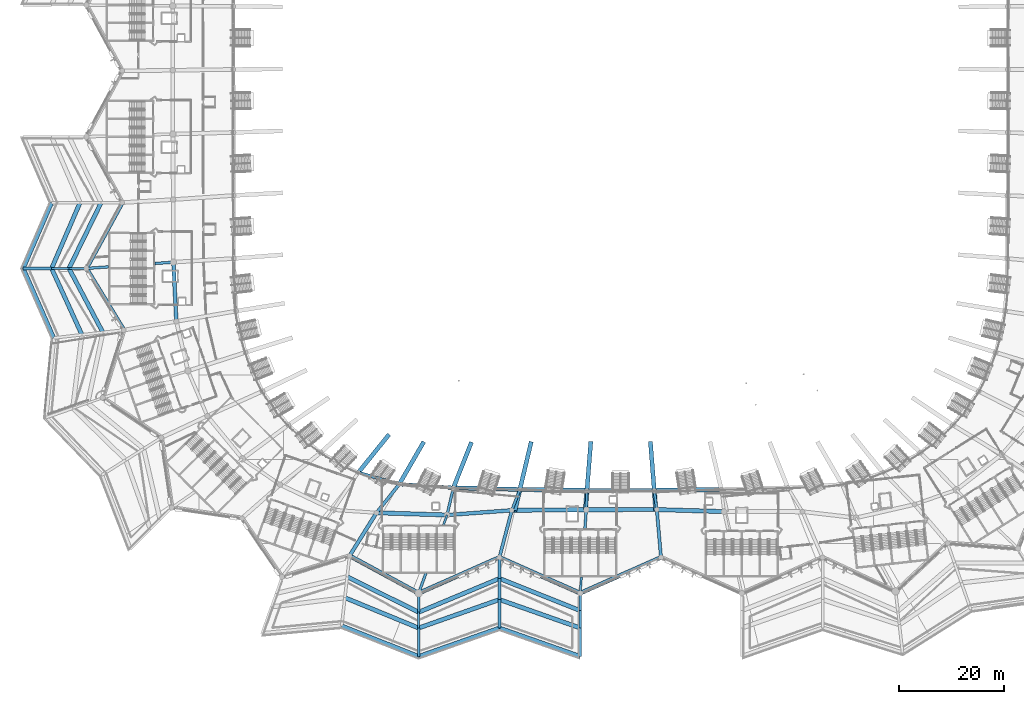
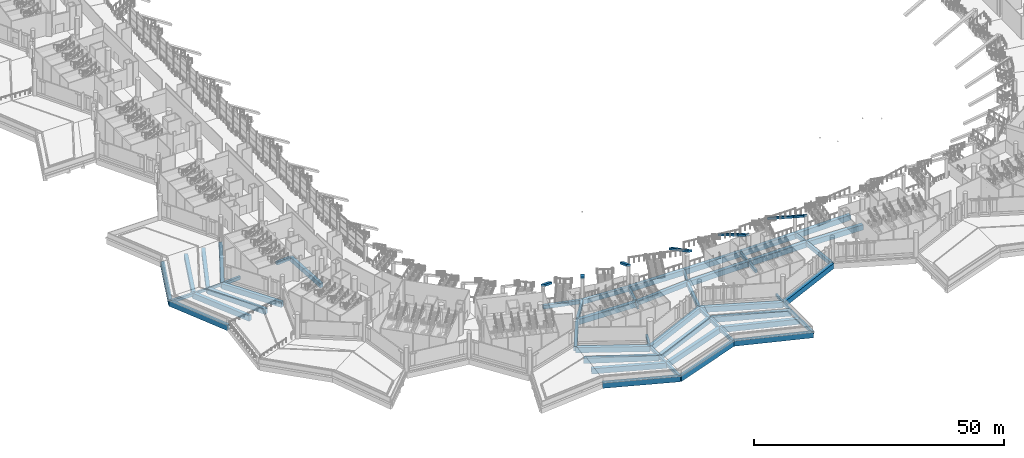
# One storey, part 5 of 173: 68 beams.
"""IFC4 building model written with IfcOpenShell, lengths in metres."""

from ifc_helpers import new_model, si_unit, direction, frame, origin, origin_2d, place, context, subcontext, project, spatial, rectangle, extrude, material, material_profile, profile_set, type_object, element, save


model = new_model("IFC4")

# Units and contexts
model_context = context("Model", 3, precision=1e-05, world=origin(), true_north=direction((0.0, 1.0)))
body_context = subcontext(model_context, "Body", "Model", "MODEL_VIEW")
ifc_project = project(units=[si_unit("LENGTHUNIT", "METRE"), si_unit("AREAUNIT", "SQUARE_METRE"), si_unit("VOLUMEUNIT", "CUBIC_METRE"), si_unit("PLANEANGLEUNIT", "RADIAN"), si_unit("MASSUNIT", "GRAM", prefix="KILO")], contexts=[model_context])

# Site, building, storey
site_placement = place(None, origin())
site = spatial("IfcSite", under=ifc_project, at=site_placement, CompositionType="ELEMENT")
building_placement = place(site_placement, origin())
building = spatial("IfcBuilding", under=site, at=building_placement, Name="Meseta Stadium", CompositionType="ELEMENT")
storey_placement = place(building_placement, frame((0.0, 0.0, 18.0)))
storey = spatial("IfcBuildingStorey", under=building, at=storey_placement, Name="L03", CompositionType="ELEMENT", Elevation=18.0)

# Beams
ifc_material_1 = material(Name="Concrete C40/50", Category="concrete")
ifc_material_profile_1 = material_profile(ifc_material_1, rectangle(XDim=0.39990234375, YDim=0.60009765625, at=origin_2d()), Name="RC 400x600")
ifc_profile_set_1 = profile_set([ifc_material_profile_1], Name="Concrete C40/50")
beam_type_1 = type_object("IfcBeamType", Name="RC beam 400x600", PredefinedType="BEAM", material=ifc_profile_set_1)
beam_1_placement = place(storey_placement, frame((-32.944091796875, -90.551025390625, -0.64990234375), z_axis=(-0.341128443291, -0.940016694095, 0.0), x_axis=(0.940016694095, -0.341128443291, 0.0)))
element("IfcBeam", 1, at=beam_1_placement, inside=storey, type_object=beam_type_1, Name="L03 radial beam frame 44 line P to R", PredefinedType="BEAM", context=body_context, shape_type="SweptSolid", body=[
    extrude(rectangle(XDim=0.39990234375, YDim=0.60009765625, at=origin_2d()), origin(), (0.0, 0.0, 1.0), 2.0732421875),
])
beam_2_placement = place(storey_placement, frame((-7.44189453125, -102.300048828125, -0.64990234375), z_axis=(-0.072346739974, -0.997379541205, 0.0), x_axis=(0.997379541205, -0.072346739974, 0.0)))
element("IfcBeam", 2, at=beam_2_placement, inside=storey, type_object=beam_type_1, Name="L03 radial beam frame 46 line P to R", PredefinedType="BEAM", context=body_context, shape_type="SweptSolid", body=[
    extrude(rectangle(XDim=0.39990234375, YDim=0.60009765625, at=origin_2d()), origin(), (0.0, 0.0, 1.0), 3.10791015625),
])
for number, where, z_axis, x_axis, name in (
    (3, (-101.39990234375, -43.75, -0.699951171875), (-1.0, 0.0, 0.0), (0.0, -1.0, 0.0), "L03 radial beam frame 36 line R to M"),
    (4, (-104.699951171875, -43.75, -0.699951171875), (-1.0, 0.0, 0.0), (0.0, -1.0, 0.0), "L03 radial beam frame 36 line M to Q"),
):
    element("IfcBeam", number, at=place(storey_placement, frame(where, z_axis=z_axis, x_axis=x_axis)), inside=storey, type_object=beam_type_1, Name=name, PredefinedType="BEAM", context=body_context, shape_type="SweptSolid", body=[
        extrude(rectangle(XDim=0.39990234375, YDim=0.60009765625, at=origin_2d()), origin(), (0.0, 0.0, 1.0), 3.300048828125),
    ])
beam_3_placement = place(storey_placement, frame((-38.333251953125, -109.0, -0.699951171875), z_axis=(0.0, -1.0, 0.0), x_axis=(1.0, 0.0, 0.0)))
element("IfcBeam", 5, at=beam_3_placement, inside=storey, type_object=beam_type_1, Name="L03 radial beam frame 44 line M to Q", PredefinedType="BEAM", context=body_context, shape_type="SweptSolid", body=[
    extrude(rectangle(XDim=0.39990234375, YDim=0.60009765625, at=origin_2d()), origin(), (0.0, 0.0, 1.0), 3.0),
])
for number, where, z_axis, x_axis, name in (
    (6, (-7.666748046875, -105.39990234375, -0.699951171875), (0.0, -1.0, 0.0), (1.0, 0.0, 0.0), "L03 radial beam frame 46 line R to M"),
    (7, (-7.666748046875, -108.699951171875, -0.699951171875), (0.0, -1.0, 0.0), (1.0, 0.0, 0.0), "L03 radial beam frame 46 line M to Q"),
):
    element("IfcBeam", number, at=place(storey_placement, frame(where, z_axis=z_axis, x_axis=x_axis)), inside=storey, type_object=beam_type_1, Name=name, PredefinedType="BEAM", context=body_context, shape_type="SweptSolid", body=[
        extrude(rectangle(XDim=0.39990234375, YDim=0.60009765625, at=origin_2d()), origin(), (0.0, 0.0, 1.0), 3.300048828125),
    ])
ifc_material_2 = material(Name="Concrete C40/50", Category="concrete")
ifc_material_profile_2 = material_profile(ifc_material_2, rectangle(XDim=0.5, YDim=0.75, at=origin_2d()), Name="RC 500x750")
ifc_profile_set_2 = profile_set([ifc_material_profile_2], Name="Concrete C40/50")
beam_type_2 = type_object("IfcBeamType", Name="RC beam 500x750", PredefinedType="BEAM", material=ifc_profile_set_2)
beam_4_placement = place(storey_placement, frame((-84.884033203125, -42.5615234375, -0.72509765625), z_axis=(-0.997422358581, -0.071754014547, 0.0), x_axis=(0.071754014547, -0.997422358581, 0.0)))
element("IfcBeam", 8, at=beam_4_placement, inside=storey, type_object=beam_type_2, Name="L03 radial beam frame 36 line P to R", PredefinedType="BEAM", context=body_context, shape_type="SweptSolid", body=[
    extrude(rectangle(XDim=0.5, YDim=0.75, at=origin_2d()), origin(), (0.0, 0.0, 1.0), 3.52490234375),
])
beam_5_placement = place(storey_placement, frame((-97.199951171875, -43.44775390625, -0.72509765625), z_axis=(-0.997420591967, -0.071778567276, 0.0), x_axis=(0.071778567276, -0.997420591967, 0.0)))
element("IfcBeam", 9, at=beam_5_placement, inside=storey, type_object=beam_type_2, Name="L03 radial beam frame 36 line P to R", PredefinedType="BEAM", context=body_context, shape_type="SweptSolid", body=[
    extrude(rectangle(XDim=0.5, YDim=0.75, at=origin_2d()), origin(), (0.0, 0.0, 1.0), 4.210693359375),
])
beam_6_placement = place(storey_placement, frame((-31.73681640625, -85.376708984375, -0.72509765625), z_axis=(-0.22721799518, -0.973843921101, 0.0), x_axis=(0.973843921101, -0.22721799518, 0.0)))
element("IfcBeam", 10, at=beam_6_placement, inside=storey, type_object=beam_type_2, Name="L03 radial beam frame 44 line E to P", PredefinedType="BEAM", context=body_context, shape_type="SweptSolid", body=[
    extrude(rectangle(XDim=0.5, YDim=0.75, at=origin_2d()), origin(), (0.0, 0.0, 1.0), 5.313232421875),
])
beam_7_placement = place(storey_placement, frame((-36.9541015625, -101.60009765625, -0.72509765625), z_axis=(-0.341175633366, -0.939999567658, 0.0), x_axis=(0.939999567658, -0.341175633366, 0.0)))
element("IfcBeam", 11, at=beam_7_placement, inside=storey, type_object=beam_type_2, Name="L03 radial beam frame 44 line P to R", PredefinedType="BEAM", context=body_context, shape_type="SweptSolid", body=[
    extrude(rectangle(XDim=0.5, YDim=0.75, at=origin_2d()), origin(), (0.0, 0.0, 1.0), 4.042236328125),
])
beam_8_placement = place(storey_placement, frame((-19.11865234375, -85.6982421875, -0.72509765625), z_axis=(-0.360763299369, -0.932657408606, 0.0), x_axis=(0.932657408606, -0.360763299369, 0.0)))
element("IfcBeam", 12, at=beam_8_placement, inside=storey, type_object=beam_type_2, Name="L03 radial beam frame 45 line E to P", PredefinedType="BEAM", context=body_context, shape_type="SweptSolid", body=[
    extrude(rectangle(XDim=0.5, YDim=0.75, at=origin_2d()), origin(), (0.0, 0.0, 1.0), 4.243896484375),
])
beam_9_placement = place(storey_placement, frame((-6.386962890625, -85.876708984375, -0.72509765625), z_axis=(-0.035437776234, -0.999371884743, 0.0), x_axis=(0.999371884743, -0.035437776234, 0.0)))
element("IfcBeam", 13, at=beam_9_placement, inside=storey, type_object=beam_type_2, Name="L03 radial beam frame 46 line E to P", PredefinedType="BEAM", context=body_context, shape_type="SweptSolid", body=[
    extrude(rectangle(XDim=0.5, YDim=0.75, at=origin_2d()), origin(), (0.0, 0.0, 1.0), 3.671875),
])
beam_10_placement = place(storey_placement, frame((-6.51708984375, -89.54638671875, -0.72509765625), z_axis=(-0.072312695021, -0.997382010134, 0.0), x_axis=(0.997382010134, -0.072312695021, 0.0)))
element("IfcBeam", 14, at=beam_10_placement, inside=storey, type_object=beam_type_2, Name="L03 radial beam frame 46 line P to R", PredefinedType="BEAM", context=body_context, shape_type="SweptSolid", body=[
    extrude(rectangle(XDim=0.5, YDim=0.75, at=origin_2d()), origin(), (0.0, 0.0, 1.0), 3.6630859375),
])
beam_11_placement = place(storey_placement, frame((6.386962890625, -85.876708984375, -0.72509765625), z_axis=(0.131671729661, -0.991293375146, 0.0), x_axis=(0.991293375146, 0.131671729661, 0.0)))
element("IfcBeam", 15, at=beam_11_placement, inside=storey, type_object=beam_type_2, Name="L03 radial beam frame 47 line E to P", PredefinedType="BEAM", context=body_context, shape_type="SweptSolid", body=[
    extrude(rectangle(XDim=0.5, YDim=0.75, at=origin_2d()), origin(), (0.0, 0.0, 1.0), 3.673095703125),
])
beam_12_placement = place(storey_placement, frame((-108.0, -43.75, -0.77490234375), z_axis=(-1.0, 0.0, 0.0), x_axis=(0.0, -1.0, 0.0)))
element("IfcBeam", 16, at=beam_12_placement, inside=storey, type_object=beam_type_2, Name="L03 radial beam frame 36 line Q to O", PredefinedType="BEAM", context=body_context, shape_type="SweptSolid", body=[
    extrude(rectangle(XDim=0.5, YDim=0.75, at=origin_2d()), origin(), (0.0, 0.0, 1.0), 5.39990234375),
])
beam_13_placement = place(storey_placement, frame((-38.333251953125, -105.39990234375, -0.77490234375), z_axis=(0.0, -1.0, 0.0), x_axis=(1.0, 0.0, 0.0)))
element("IfcBeam", 17, at=beam_13_placement, inside=storey, type_object=beam_type_2, Name="L03 radial beam frame 44 line R to M", PredefinedType="BEAM", context=body_context, shape_type="SweptSolid", body=[
    extrude(rectangle(XDim=0.5, YDim=0.75, at=origin_2d()), origin(), (0.0, 0.0, 1.0), 3.60009765625),
])
beam_14_placement = place(storey_placement, frame((-38.333251953125, -112.0, -0.77490234375), z_axis=(0.0, -1.0, 0.0), x_axis=(1.0, 0.0, 0.0)))
element("IfcBeam", 18, at=beam_14_placement, inside=storey, type_object=beam_type_2, Name="L03 radial beam frame 44 line Q to O", PredefinedType="BEAM", context=body_context, shape_type="SweptSolid", body=[
    extrude(rectangle(XDim=0.5, YDim=0.75, at=origin_2d()), origin(), (0.0, 0.0, 1.0), 5.39990234375),
])
for number, where, z_axis, x_axis, name in (
    (19, (-23.0, -98.60009765625, -0.77490234375), (0.0, -1.0, 0.0), (1.0, 0.0, 0.0), "L03 radial beam frame 45 line R to M"),
    (20, (-23.0, -102.60009765625, -0.77490234375), (0.0, -1.0, 0.0), (1.0, 0.0, 0.0), "L03 radial beam frame 45 line M to Q"),
):
    element("IfcBeam", number, at=place(storey_placement, frame(where, z_axis=z_axis, x_axis=x_axis)), inside=storey, type_object=beam_type_2, Name=name, PredefinedType="BEAM", context=body_context, shape_type="SweptSolid", body=[
        extrude(rectangle(XDim=0.5, YDim=0.75, at=origin_2d()), origin(), (0.0, 0.0, 1.0), 4.0),
    ])
for number, where, z_axis, x_axis, name in (
    (21, (-23.0, -106.60009765625, -0.77490234375), (0.0, -1.0, 0.0), (1.0, 0.0, 0.0), "L03 radial beam frame 45 line Q to O"),
    (22, (-7.666748046875, -112.0, -0.77490234375), (0.0, -1.0, 0.0), (1.0, 0.0, 0.0), "L03 radial beam frame 46 line Q to O"),
):
    element("IfcBeam", number, at=place(storey_placement, frame(where, z_axis=z_axis, x_axis=x_axis)), inside=storey, type_object=beam_type_2, Name=name, PredefinedType="BEAM", context=body_context, shape_type="SweptSolid", body=[
        extrude(rectangle(XDim=0.5, YDim=0.75, at=origin_2d()), origin(), (0.0, 0.0, 1.0), 5.39990234375),
    ])
ifc_material_3 = material(Name="Concrete C40/50", Category="concrete")
ifc_material_profile_3 = material_profile(ifc_material_3, rectangle(XDim=0.60009765625, YDim=0.89990234375, at=origin_2d()), Name="RC 600x900")
ifc_profile_set_3 = profile_set([ifc_material_profile_3], Name="Concrete C40/50")
beam_type_3 = type_object("IfcBeamType", Name="RC beam 600x900", PredefinedType="BEAM", material=ifc_profile_set_3)
beam_15_placement = place(storey_placement, frame((-49.791015625, -82.498779296875, -0.800048828125), z_axis=(0.961951325549, -0.273220876351, 0.0), x_axis=(0.273220876351, 0.961951325549, 0.0)))
element("IfcBeam", 23, at=beam_15_placement, inside=storey, type_object=beam_type_3, Name="L03 ring beam frame 42 line E", PredefinedType="BEAM", context=body_context, shape_type="SweptSolid", body=[
    extrude(rectangle(XDim=0.60009765625, YDim=0.89990234375, at=origin_2d()), origin(), (0.0, 0.0, 1.0), 8.083251953125),
])
beam_16_placement = place(storey_placement, frame((-42.015380859375, -84.707275390625, -0.800048828125), z_axis=(-0.623172725644, -0.782084237159, 0.0), x_axis=(0.782084237159, -0.623172725644, 0.0)))
element("IfcBeam", 24, at=beam_16_placement, inside=storey, type_object=beam_type_3, Name="L03 radial beam frame 43 line E to P", PredefinedType="BEAM", context=body_context, shape_type="SweptSolid", body=[
    extrude(rectangle(XDim=0.60009765625, YDim=0.89990234375, at=origin_2d()), origin(), (0.0, 0.0, 1.0), 6.928955078125),
])
beam_17_placement = place(storey_placement, frame((-20.649658203125, -89.65625, -0.800048828125), z_axis=(-0.254159308712, -0.967162367855, 0.0), x_axis=(0.967162367855, -0.254159308712, 0.0)))
element("IfcBeam", 25, at=beam_17_placement, inside=storey, type_object=beam_type_3, Name="L03 radial beam frame 45 line P to R", PredefinedType="BEAM", context=body_context, shape_type="SweptSolid", body=[
    extrude(rectangle(XDim=0.60009765625, YDim=0.89990234375, at=origin_2d()), origin(), (0.0, 0.0, 1.0), 9.24755859375),
])
beam_18_placement = place(storey_placement, frame((6.87060546875, -89.517822265625, -0.800048828125), z_axis=(0.087324072983, -0.996179956774, 0.0), x_axis=(0.996179956774, 0.087324072983, 0.0)))
element("IfcBeam", 26, at=beam_18_placement, inside=storey, type_object=beam_type_3, Name="L03 radial beam frame 47 line P to R", PredefinedType="BEAM", context=body_context, shape_type="SweptSolid", body=[
    extrude(rectangle(XDim=0.60009765625, YDim=0.89990234375, at=origin_2d()), origin(), (0.0, 0.0, 1.0), 9.1171875),
])
ifc_material_4 = material(Name="Concrete C40/50", Category="concrete")
ifc_material_profile_4 = material_profile(ifc_material_4, rectangle(XDim=0.699951171875, YDim=1.10009765625, at=origin_2d()), Name="RC 700x1100")
ifc_profile_set_4 = profile_set([ifc_material_profile_4], Name="Concrete C40/50")
beam_type_4 = type_object("IfcBeamType", Name="RC beam 700x1100", PredefinedType="BEAM", material=ifc_profile_set_4)
beam_19_placement = place(storey_placement, frame((-84.884033203125, -42.5615234375, -0.89990234375), z_axis=(0.049657379323, -0.998766311346, 0.0), x_axis=(0.998766311346, 0.049657379323, 0.0)))
element("IfcBeam", 27, at=beam_19_placement, inside=storey, type_object=beam_type_4, Name="L03 ring beam frame 36 line P", PredefinedType="BEAM", context=body_context, shape_type="SweptSolid", body=[
    extrude(rectangle(XDim=0.699951171875, YDim=1.10009765625, at=origin_2d()), origin(), (0.0, 0.0, 1.0), 11.25390625),
])
beam_20_placement = place(storey_placement, frame((-42.015380859375, -84.707275390625, -0.89990234375), z_axis=(0.997885824096, -0.064991399959, 0.0), x_axis=(0.064991399959, 0.997885824096, 0.0)))
element("IfcBeam", 28, at=beam_20_placement, inside=storey, type_object=beam_type_4, Name="L03 ring beam frame 43 line E", PredefinedType="BEAM", context=body_context, shape_type="SweptSolid", body=[
    extrude(rectangle(XDim=0.699951171875, YDim=1.10009765625, at=origin_2d()), origin(), (0.0, 0.0, 1.0), 10.30029296875),
])
beam_21_placement = place(storey_placement, frame((-32.944091796875, -90.551025390625, -0.89990234375), z_axis=(0.99736209032, 0.072586918881, 0.0), x_axis=(-0.072586918881, 0.99736209032, 0.0)))
element("IfcBeam", 29, at=beam_21_placement, inside=storey, type_object=beam_type_4, Name="L03 ring beam frame 44 line P", PredefinedType="BEAM", context=body_context, shape_type="SweptSolid", body=[
    extrude(rectangle(XDim=0.699951171875, YDim=1.10009765625, at=origin_2d()), origin(), (0.0, 0.0, 1.0), 12.326904296875),
])
beam_22_placement = place(storey_placement, frame((-46.333251953125, -90.126220703125, -0.89990234375), z_axis=(-0.530224433937, -0.847857328597, 0.0), x_axis=(0.847857328597, -0.530224433937, 0.0)))
element("IfcBeam", 30, at=beam_22_placement, inside=storey, type_object=beam_type_4, Name="L03 radial beam frame 43 line P to R", PredefinedType="BEAM", context=body_context, shape_type="SweptSolid", body=[
    extrude(rectangle(XDim=0.699951171875, YDim=1.10009765625, at=origin_2d()), origin(), (0.0, 0.0, 1.0), 9.634033203125),
])
ifc_material_5 = material(Name="Concrete C40/50", Category="concrete")
ifc_material_profile_5 = material_profile(ifc_material_5, rectangle(XDim=0.800048828125, YDim=1.300048828125, at=origin_2d()), Name="RC 800x1300")
ifc_profile_set_5 = profile_set([ifc_material_profile_5], Name="Concrete C40/50")
beam_type_5 = type_object("IfcBeamType", Name="RC beam 800x1300", PredefinedType="BEAM", material=ifc_profile_set_5)
beam_23_placement = place(storey_placement, frame((-94.60009765625, -31.25, -1.0), z_axis=(-0.47785649891, -0.878437912689, 0.0), x_axis=(0.878437912689, -0.47785649891, 0.0)))
element("IfcBeam", 31, at=beam_23_placement, inside=storey, type_object=beam_type_5, Name="L03 ring beam frame 35 line R", PredefinedType="BEAM", context=body_context, shape_type="SweptSolid", body=[
    extrude(rectangle(XDim=0.800048828125, YDim=1.300048828125, at=origin_2d()), origin(), (0.0, 0.0, 1.0), 14.229736328125),
])
beam_24_placement = place(storey_placement, frame((-101.39990234375, -43.75, -1.0), z_axis=(0.519358064651, -0.854556727598, 0.0), x_axis=(0.854556727598, 0.519358064651, 0.0)))
element("IfcBeam", 32, at=beam_24_placement, inside=storey, type_object=beam_type_5, Name="L03 ring beam frame 36 line R", PredefinedType="BEAM", context=body_context, shape_type="SweptSolid", body=[
    extrude(rectangle(XDim=0.800048828125, YDim=1.300048828125, at=origin_2d()), origin(), (0.0, 0.0, 1.0), 13.68115234375),
])
beam_25_placement = place(storey_placement, frame((-46.333251953125, -90.126220703125, -1.0), z_axis=(0.999497062289, -0.031711551154, 0.0), x_axis=(0.031711551154, 0.999497062289, 0.0)))
element("IfcBeam", 33, at=beam_25_placement, inside=storey, type_object=beam_type_5, Name="L03 ring beam frame 43 line P", PredefinedType="BEAM", context=body_context, shape_type="SweptSolid", body=[
    extrude(rectangle(XDim=0.800048828125, YDim=1.300048828125, at=origin_2d()), origin(), (0.0, 0.0, 1.0), 13.39599609375),
])
beam_26_placement = place(storey_placement, frame((-51.44140625, -98.29443359375, -1.0), z_axis=(0.879145348638, -0.476553728311, 0.0), x_axis=(0.476553728311, 0.879145348638, 0.0)))
element("IfcBeam", 34, at=beam_26_placement, inside=storey, type_object=beam_type_5, Name="L03 ring beam frame 43 line R", PredefinedType="BEAM", context=body_context, shape_type="SweptSolid", body=[
    extrude(rectangle(XDim=0.800048828125, YDim=1.300048828125, at=origin_2d()), origin(), (0.0, 0.0, 1.0), 14.91015625),
])
beam_27_placement = place(storey_placement, frame((-31.73681640625, -85.376708984375, -1.0), z_axis=(0.999675497622, -0.02547350496, 0.0), x_axis=(0.02547350496, 0.999675497622, 0.0)))
element("IfcBeam", 35, at=beam_27_placement, inside=storey, type_object=beam_type_5, Name="L03 ring beam frame 44 line E", PredefinedType="BEAM", context=body_context, shape_type="SweptSolid", body=[
    extrude(rectangle(XDim=0.800048828125, YDim=1.300048828125, at=origin_2d()), origin(), (0.0, 0.0, 1.0), 12.622314453125),
])
beam_28_placement = place(storey_placement, frame((-38.333251953125, -105.39990234375, -1.0), z_axis=(0.914142564088, 0.405392861953, 0.0), x_axis=(-0.405392861953, 0.914142564088, 0.0)))
element("IfcBeam", 36, at=beam_28_placement, inside=storey, type_object=beam_type_5, Name="L03 ring beam frame 44 line R", PredefinedType="BEAM", context=body_context, shape_type="SweptSolid", body=[
    extrude(rectangle(XDim=0.800048828125, YDim=1.300048828125, at=origin_2d()), origin(), (0.0, 0.0, 1.0), 16.7734375),
])
beam_29_placement = place(storey_placement, frame((-19.11865234375, -85.6982421875, -1.0), z_axis=(0.999901768948, -0.014016149746, 0.0), x_axis=(0.014016149746, 0.999901768948, 0.0)))
element("IfcBeam", 37, at=beam_29_placement, inside=storey, type_object=beam_type_5, Name="L03 ring beam frame 45 line E", PredefinedType="BEAM", context=body_context, shape_type="SweptSolid", body=[
    extrude(rectangle(XDim=0.800048828125, YDim=1.300048828125, at=origin_2d()), origin(), (0.0, 0.0, 1.0), 12.73291015625),
])
beam_30_placement = place(storey_placement, frame((-20.649658203125, -89.65625, -1.0), z_axis=(0.999969785649, 0.007773531251, 0.0), x_axis=(-0.007773531251, 0.999969785649, 0.0)))
element("IfcBeam", 38, at=beam_30_placement, inside=storey, type_object=beam_type_5, Name="L03 ring beam frame 45 line P", PredefinedType="BEAM", context=body_context, shape_type="SweptSolid", body=[
    extrude(rectangle(XDim=0.800048828125, YDim=1.300048828125, at=origin_2d()), origin(), (0.0, 0.0, 1.0), 14.133056640625),
])
beam_31_placement = place(storey_placement, frame((-23.0, -98.60009765625, -1.0), z_axis=(0.914142564088, -0.405392861953, 0.0), x_axis=(0.405392861953, 0.914142564088, 0.0)))
element("IfcBeam", 39, at=beam_31_placement, inside=storey, type_object=beam_type_5, Name="L03 ring beam frame 45 line R", PredefinedType="BEAM", context=body_context, shape_type="SweptSolid", body=[
    extrude(rectangle(XDim=0.800048828125, YDim=1.300048828125, at=origin_2d()), origin(), (0.0, 0.0, 1.0), 16.7734375),
])
beam_32_placement = place(storey_placement, frame((-6.386962890625, -85.876708984375, -1.0), z_axis=(1.0, 0.0, 0.0), x_axis=(0.0, 1.0, 0.0)))
element("IfcBeam", 40, at=beam_32_placement, inside=storey, type_object=beam_type_5, Name="L03 ring beam frame 46 line E", PredefinedType="BEAM", context=body_context, shape_type="SweptSolid", body=[
    extrude(rectangle(XDim=0.800048828125, YDim=1.300048828125, at=origin_2d()), origin(), (0.0, 0.0, 1.0), 12.77392578125),
])
beam_33_placement = place(storey_placement, frame((-6.51708984375, -89.54638671875, -1.0), z_axis=(0.999997723809, 0.002133629982, 0.0), x_axis=(-0.002133629982, 0.999997723809, 0.0)))
element("IfcBeam", 41, at=beam_33_placement, inside=storey, type_object=beam_type_5, Name="L03 ring beam frame 46 line P", PredefinedType="BEAM", context=body_context, shape_type="SweptSolid", body=[
    extrude(rectangle(XDim=0.800048828125, YDim=1.300048828125, at=origin_2d()), origin(), (0.0, 0.0, 1.0), 13.3876953125),
])
beam_34_placement = place(storey_placement, frame((-7.666748046875, -105.39990234375, -1.0), z_axis=(0.914144956099, 0.405387468033, 0.0), x_axis=(-0.405387468033, 0.914144956099, 0.0)))
element("IfcBeam", 42, at=beam_34_placement, inside=storey, type_object=beam_type_5, Name="L03 ring beam frame 46 line R", PredefinedType="BEAM", context=body_context, shape_type="SweptSolid", body=[
    extrude(rectangle(XDim=0.800048828125, YDim=1.300048828125, at=origin_2d()), origin(), (0.0, 0.0, 1.0), 16.773681640625),
])
beam_35_placement = place(storey_placement, frame((6.386962890625, -85.876708984375, -1.0), z_axis=(0.999901768948, 0.014016149746, 0.0), x_axis=(-0.014016149746, 0.999901768948, 0.0)))
element("IfcBeam", 43, at=beam_35_placement, inside=storey, type_object=beam_type_5, Name="L03 ring beam frame 47 line E", PredefinedType="BEAM", context=body_context, shape_type="SweptSolid", body=[
    extrude(rectangle(XDim=0.800048828125, YDim=1.300048828125, at=origin_2d()), origin(), (0.0, 0.0, 1.0), 12.73291015625),
])
beam_36_placement = place(storey_placement, frame((6.87060546875, -89.517822265625, -1.0), z_axis=(0.999542564532, -0.030243374311, 0.0), x_axis=(0.030243374311, 0.999542564532, 0.0)))
element("IfcBeam", 44, at=beam_36_placement, inside=storey, type_object=beam_type_5, Name="L03 ring beam frame 47 line P", PredefinedType="BEAM", context=body_context, shape_type="SweptSolid", body=[
    extrude(rectangle(XDim=0.800048828125, YDim=1.300048828125, at=origin_2d()), origin(), (0.0, 0.0, 1.0), 12.7626953125),
])
beam_37_placement = place(storey_placement, frame((-98.60009765625, -31.25, -1.050048828125), z_axis=(-0.438556770405, -0.898703487882, 0.0), x_axis=(0.898703487882, -0.438556770405, 0.0)))
element("IfcBeam", 45, at=beam_37_placement, inside=storey, type_object=beam_type_5, Name="L03 ring beam frame 35 line M", PredefinedType="BEAM", context=body_context, shape_type="SweptSolid", body=[
    extrude(rectangle(XDim=0.800048828125, YDim=1.300048828125, at=origin_2d()), origin(), (0.0, 0.0, 1.0), 13.908935546875),
])
for number, where, z_axis, x_axis, name in (
    (46, (-102.60009765625, -31.25, -1.050048828125), (-0.396570645327, -0.918004206562, 0.0), (0.918004206562, -0.396570645327, 0.0), "L03 ring beam frame 35 line Q"),
    (47, (-108.0, -31.25, -1.050048828125), (-0.396570645327, -0.918004206562, 0.0), (0.918004206562, -0.396570645327, 0.0), "L03 ring beam frame 35 line O"),
):
    element("IfcBeam", number, at=place(storey_placement, frame(where, z_axis=z_axis, x_axis=x_axis)), inside=storey, type_object=beam_type_5, Name=name, PredefinedType="BEAM", context=body_context, shape_type="SweptSolid", body=[
        extrude(rectangle(XDim=0.800048828125, YDim=1.300048828125, at=origin_2d()), origin(), (0.0, 0.0, 1.0), 13.616455078125),
    ])
beam_38_placement = place(storey_placement, frame((-104.699951171875, -43.75, -1.050048828125), z_axis=(0.468110622218, -0.88366987352, 0.0), x_axis=(0.88366987352, 0.468110622218, 0.0)))
element("IfcBeam", 48, at=beam_38_placement, inside=storey, type_object=beam_type_5, Name="L03 ring beam frame 36 line M", PredefinedType="BEAM", context=body_context, shape_type="SweptSolid", body=[
    extrude(rectangle(XDim=0.800048828125, YDim=1.300048828125, at=origin_2d()), origin(), (0.0, 0.0, 1.0), 13.737548828125),
])
beam_39_placement = place(storey_placement, frame((-108.0, -43.75, -1.050048828125), z_axis=(0.415863139592, -0.909427209363, 0.0), x_axis=(0.909427209363, 0.415863139592, 0.0)))
element("IfcBeam", 49, at=beam_39_placement, inside=storey, type_object=beam_type_5, Name="L03 ring beam frame 36 line Q", PredefinedType="BEAM", context=body_context, shape_type="SweptSolid", body=[
    extrude(rectangle(XDim=0.800048828125, YDim=1.300048828125, at=origin_2d()), origin(), (0.0, 0.0, 1.0), 13.8408203125),
])
beam_40_placement = place(storey_placement, frame((-113.39990234375, -43.75, -1.050048828125), z_axis=(0.401887137806, -0.915689209539, 0.0), x_axis=(0.915689209539, 0.401887137806, 0.0)))
element("IfcBeam", 50, at=beam_40_placement, inside=storey, type_object=beam_type_5, Name="L03 ring beam frame 36 line O", PredefinedType="BEAM", context=body_context, shape_type="SweptSolid", body=[
    extrude(rectangle(XDim=0.800048828125, YDim=1.300048828125, at=origin_2d()), origin(), (0.0, 0.0, 1.0), 14.406494140625),
])
beam_41_placement = place(storey_placement, frame((-51.889404296875, -102.269287109375, -1.050048828125), z_axis=(0.895675432746, -0.444708352941, 0.0), x_axis=(0.444708352941, 0.895675432746, 0.0)))
element("IfcBeam", 51, at=beam_41_placement, inside=storey, type_object=beam_type_5, Name="L03 ring beam frame 43 line M", PredefinedType="BEAM", context=body_context, shape_type="SweptSolid", body=[
    extrude(rectangle(XDim=0.800048828125, YDim=1.300048828125, at=origin_2d()), origin(), (0.0, 0.0, 1.0), 15.135009765625),
])
beam_42_placement = place(storey_placement, frame((-52.337158203125, -106.244140625, -1.050048828125), z_axis=(0.924921023006, -0.380159310293, 0.0), x_axis=(0.380159310293, 0.924921023006, 0.0)))
element("IfcBeam", 52, at=beam_42_placement, inside=storey, type_object=beam_type_5, Name="L03 ring beam frame 43 line Q", PredefinedType="BEAM", context=body_context, shape_type="SweptSolid", body=[
    extrude(rectangle(XDim=0.800048828125, YDim=1.300048828125, at=origin_2d()), origin(), (0.0, 0.0, 1.0), 15.140625),
])
beam_43_placement = place(storey_placement, frame((-52.94189453125, -111.610107421875, -1.050048828125), z_axis=(0.929649573326, -0.368444935933, 0.0), x_axis=(0.368444935933, 0.929649573326, 0.0)))
element("IfcBeam", 53, at=beam_43_placement, inside=storey, type_object=beam_type_5, Name="L03 ring beam frame 43 line O", PredefinedType="BEAM", context=body_context, shape_type="SweptSolid", body=[
    extrude(rectangle(XDim=0.800048828125, YDim=1.300048828125, at=origin_2d()), origin(), (0.0, 0.0, 1.0), 15.714111328125),
])
beam_44_placement = place(storey_placement, frame((-38.333251953125, -109.0, -1.050048828125), z_axis=(0.922840692895, 0.385181847362, 0.0), x_axis=(-0.385181847362, 0.922840692895, 0.0)))
element("IfcBeam", 54, at=beam_44_placement, inside=storey, type_object=beam_type_5, Name="L03 ring beam frame 44 line M", PredefinedType="BEAM", context=body_context, shape_type="SweptSolid", body=[
    extrude(rectangle(XDim=0.800048828125, YDim=1.300048828125, at=origin_2d()), origin(), (0.0, 0.0, 1.0), 16.615234375),
])
for number, where, z_axis, x_axis, name in (
    (55, (-38.333251953125, -112.0, -1.050048828125), (0.943218573019, 0.332172731439, 0.0), (-0.332172731439, 0.943218573019, 0.0), "L03 ring beam frame 44 line Q"),
    (56, (-38.333251953125, -117.39990234375, -1.050048828125), (0.943218573019, 0.332172731439, 0.0), (-0.332172731439, 0.943218573019, 0.0), "L03 ring beam frame 44 line O"),
):
    element("IfcBeam", number, at=place(storey_placement, frame(where, z_axis=z_axis, x_axis=x_axis)), inside=storey, type_object=beam_type_5, Name=name, PredefinedType="BEAM", context=body_context, shape_type="SweptSolid", body=[
        extrude(rectangle(XDim=0.800048828125, YDim=1.300048828125, at=origin_2d()), origin(), (0.0, 0.0, 1.0), 16.25634765625),
    ])
beam_45_placement = place(storey_placement, frame((-23.0, -102.60009765625, -1.050048828125), z_axis=(0.929173963419, -0.369642727108, 0.0), x_axis=(0.369642727108, 0.929173963419, 0.0)))
element("IfcBeam", 57, at=beam_45_placement, inside=storey, type_object=beam_type_5, Name="L03 ring beam frame 45 line M", PredefinedType="BEAM", context=body_context, shape_type="SweptSolid", body=[
    extrude(rectangle(XDim=0.800048828125, YDim=1.300048828125, at=origin_2d()), origin(), (0.0, 0.0, 1.0), 16.501953125),
])
for number, where, z_axis, x_axis, name in (
    (58, (-23.0, -106.60009765625, -1.050048828125), (0.943218573019, -0.332172731439, 0.0), (0.332172731439, 0.943218573019, 0.0), "L03 ring beam frame 45 line Q"),
    (59, (-23.0, -112.0, -1.050048828125), (0.943218573019, -0.332172731439, 0.0), (0.332172731439, 0.943218573019, 0.0), "L03 ring beam frame 45 line O"),
):
    element("IfcBeam", number, at=place(storey_placement, frame(where, z_axis=z_axis, x_axis=x_axis)), inside=storey, type_object=beam_type_5, Name=name, PredefinedType="BEAM", context=body_context, shape_type="SweptSolid", body=[
        extrude(rectangle(XDim=0.800048828125, YDim=1.300048828125, at=origin_2d()), origin(), (0.0, 0.0, 1.0), 16.25634765625),
    ])
ifc_material_6 = material(Name="Concrete C40/50", Category="concrete")
ifc_material_profile_6 = material_profile(ifc_material_6, rectangle(XDim=0.800048828125, YDim=0.449951171875, at=origin_2d()), Name="RC 800x450")
ifc_profile_set_6 = profile_set([ifc_material_profile_6], Name="Concrete C40/50")
beam_type_6 = type_object("IfcBeamType", Name="RC raker upper rear 800x450", PredefinedType="USERDEFINED", material=ifc_profile_set_6)
beam_46_placement = place(storey_placement, frame((-44.01318359375, -75.339599609375, -1.3212890625), z_axis=(-0.532996151365, -0.66042335598, 0.528919742027), x_axis=(0.778184591749, -0.628035620936, 0.0)))
element("IfcBeam", 60, at=beam_46_placement, inside=storey, type_object=beam_type_6, Name="Raker upper rear frame 42 upper tier", ObjectType="RAKER", PredefinedType="USERDEFINED", context=body_context, shape_type="SweptSolid", body=[
    extrude(rectangle(XDim=0.800048828125, YDim=0.449951171875, at=origin_2d()), origin(), (0.0, 0.0, 1.0), 10.84033203125),
])
for number, where, z_axis, x_axis, name in (
    (61, (-37.41162109375, -76.7421875, -0.91259765625), (-0.424649252816, -0.734697028855, 0.529049419123), (0.865784594888, -0.500416861481, 0.0), "Raker upper rear frame 43 upper tier"),
    (62, (-28.343505859375, -76.825439453125, -1.033203125), (-0.312995776054, -0.788761065694, 0.529045957756), (0.929492588518, -0.368840789351, 0.0), "Raker upper rear frame 44 upper tier"),
):
    element("IfcBeam", number, at=place(storey_placement, frame(where, z_axis=z_axis, x_axis=x_axis)), inside=storey, type_object=beam_type_6, Name=name, ObjectType="RAKER", PredefinedType="USERDEFINED", context=body_context, shape_type="SweptSolid", body=[
        extrude(rectangle(XDim=0.800048828125, YDim=0.449951171875, at=origin_2d()), origin(), (0.0, 0.0, 1.0), 10.84130859375),
    ])
beam_47_placement = place(storey_placement, frame((-16.98779296875, -76.748291015625, -1.56396484375), z_axis=(-0.196569020816, -0.825621417746, 0.528876067349), x_axis=(0.972808207748, -0.231612156284, 0.0)))
element("IfcBeam", 63, at=beam_47_placement, inside=storey, type_object=beam_type_6, Name="Raker upper rear frame 45 upper tier", ObjectType="RAKER", PredefinedType="USERDEFINED", context=body_context, shape_type="SweptSolid", body=[
    extrude(rectangle(XDim=0.800048828125, YDim=0.449951171875, at=origin_2d()), origin(), (0.0, 0.0, 1.0), 10.84033203125),
])
beam_48_placement = place(storey_placement, frame((-19.11865234375, -85.6982421875, 4.169189453125), z_axis=(-0.196566934135, -0.825610593672, 0.528893739821), x_axis=(0.972808077559, -0.231612703099, 0.0)))
element("IfcBeam", 64, at=beam_48_placement, inside=storey, type_object=beam_type_6, Name="Raker upper rear frame 45 upper tier", ObjectType="RAKER", PredefinedType="USERDEFINED", context=body_context, shape_type="SweptSolid", body=[
    extrude(rectangle(XDim=0.800048828125, YDim=0.449951171875, at=origin_2d()), origin(), (0.0, 0.0, 1.0), 4.970458984375),
])
beam_49_placement = place(storey_placement, frame((-5.6591796875, -76.70556640625, -2.133056640625), z_axis=(-0.067141018552, -0.84607593489, 0.528817166918), x_axis=(0.9968661234, -0.079107092077, 0.0)))
element("IfcBeam", 65, at=beam_49_placement, inside=storey, type_object=beam_type_6, Name="Raker upper rear frame 46 upper tier", ObjectType="RAKER", PredefinedType="USERDEFINED", context=body_context, shape_type="SweptSolid", body=[
    extrude(rectangle(XDim=0.800048828125, YDim=0.449951171875, at=origin_2d()), origin(), (0.0, 0.0, 1.0), 10.839599609375),
])
beam_50_placement = place(storey_placement, frame((-6.386962890625, -85.876708984375, 3.59912109375), z_axis=(-0.0671961663, -0.846107021718, 0.528760421207), x_axis=(0.996861226925, -0.079168770691, 0.0)))
element("IfcBeam", 66, at=beam_50_placement, inside=storey, type_object=beam_type_6, Name="Raker upper rear frame 46 upper tier", ObjectType="RAKER", PredefinedType="USERDEFINED", context=body_context, shape_type="SweptSolid", body=[
    extrude(rectangle(XDim=0.800048828125, YDim=0.449951171875, at=origin_2d()), origin(), (0.0, 0.0, 1.0), 4.323486328125),
])
beam_51_placement = place(storey_placement, frame((5.6591796875, -76.70556640625, -2.133056640625), z_axis=(0.067141018552, -0.84607593489, 0.528817166918), x_axis=(0.9968661234, 0.079107092077, 0.0)))
element("IfcBeam", 67, at=beam_51_placement, inside=storey, type_object=beam_type_6, Name="Raker upper rear frame 47 upper tier", ObjectType="RAKER", PredefinedType="USERDEFINED", context=body_context, shape_type="SweptSolid", body=[
    extrude(rectangle(XDim=0.800048828125, YDim=0.449951171875, at=origin_2d()), origin(), (0.0, 0.0, 1.0), 10.839599609375),
])
beam_52_placement = place(storey_placement, frame((6.386962890625, -85.876708984375, 3.59912109375), z_axis=(0.0671961663, -0.846107021718, 0.528760421207), x_axis=(0.996861226925, 0.079168770691, 0.0)))
element("IfcBeam", 68, at=beam_52_placement, inside=storey, type_object=beam_type_6, Name="Raker upper rear frame 47 upper tier", ObjectType="RAKER", PredefinedType="USERDEFINED", context=body_context, shape_type="SweptSolid", body=[
    extrude(rectangle(XDim=0.800048828125, YDim=0.449951171875, at=origin_2d()), origin(), (0.0, 0.0, 1.0), 4.323486328125),
])

save(model, "model.ifc")
